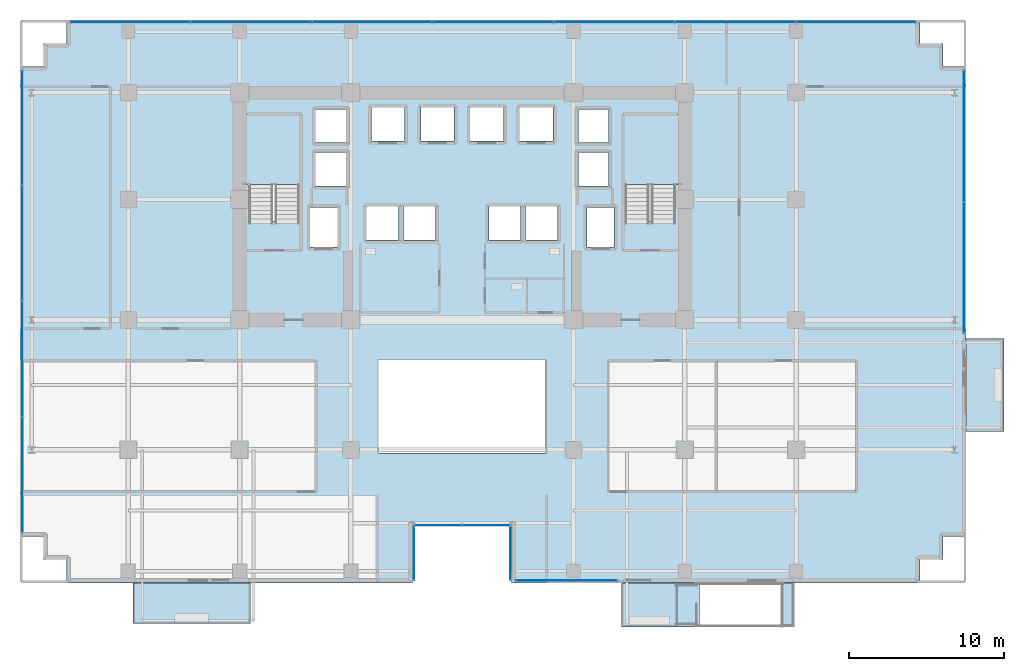
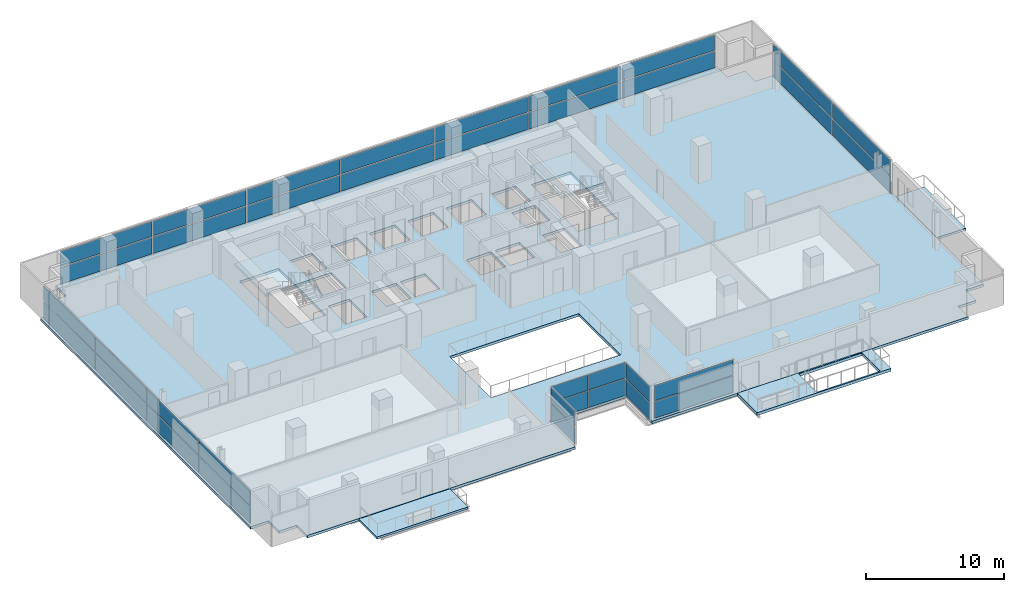
# One storey, part 20 of 28: 36 plates, 6 slabs, 9 elements without a shape of their own.
"""IFC4 building model written with IfcOpenShell, lengths in metres."""

from ifc_helpers import new_model, si_unit, direction, frame, origin, origin_2d, place, context, subcontext, project, spatial, polyline, rectangle, outline, extrude, source, transform, mapped, material, layer, layer_set, type_object, element, aggregate, save


model = new_model("IFC4")

# Units and contexts
model_context = context("Model", 3, precision=1e-05, world=origin(), true_north=direction((0.0, 1.0)))
body_context = subcontext(model_context, "Body", "Model", "MODEL_VIEW")
ifc_project = project(units=[si_unit("LENGTHUNIT", "METRE"), si_unit("AREAUNIT", "SQUARE_METRE"), si_unit("VOLUMEUNIT", "CUBIC_METRE"), si_unit("PLANEANGLEUNIT", "RADIAN"), si_unit("MASSUNIT", "GRAM", prefix="KILO")], contexts=[model_context])

# Site, building, storey
site_placement = place(None, origin())
site = spatial("IfcSite", under=ifc_project, at=site_placement, CompositionType="ELEMENT")
building_placement = place(site_placement, origin())
building = spatial("IfcBuilding", under=site, at=building_placement, Name="Zarnakvel Exchange Tower", CompositionType="ELEMENT")
storey_placement = place(building_placement, frame((0.0, 0.0, 57.10009765625)))
storey = spatial("IfcBuildingStorey", under=building, at=storey_placement, Name="L15", CompositionType="ELEMENT", Elevation=57.10009765625)

# Stair, slab
ifc_material_1 = material(Name="Concrete C40/50", Category="concrete")
stair_type = type_object("IfcStairType", Name="STR-01", PredefinedType="HALF_TURN_STAIR", material=ifc_material_1)
stair_1_placement = place(storey_placement, origin())
stair_1 = element("IfcStair", 1, at=stair_1_placement, inside=storey, type_object=stair_type, Name="L15 Protected Core Exit Stair ST-01", PredefinedType="HALF_TURN_STAIR")
ifc_layer_1 = layer(ifc_material_1, 0.199951171875)
ifc_layer_set_1 = layer_set([ifc_layer_1], Name="Concrete C40/50")
slab_type_1 = type_object("IfcSlabType", Name="LDG-01", PredefinedType="LANDING", material=ifc_layer_set_1)
slab_1_placement = place(storey_placement, frame((0.0, 0.0, 1.449951171875)))
slab_1 = element("IfcSlab", 2, at=slab_1_placement, type_object=slab_type_1, Name="ST-01 landing 1", PredefinedType="LANDING", context=body_context, shape_type="SweptSolid", body=[
    extrude(outline(polyline([(-14.18994140625, 7.570068359375), (-10.4599609375, 7.570068359375), (-10.4599609375, 12.080078125), (-14.18994140625, 12.080078125), (-14.18994140625, 7.570068359375)])), origin(), (0.0, 0.0, 1.0), 0.199951171875),
])
aggregate(stair_1, [slab_1])

stair_2_placement = place(storey_placement, origin())
stair_2 = element("IfcStair", 3, at=stair_2_placement, inside=storey, type_object=stair_type, Name="L15 Protected Core Exit Stair ST-02", PredefinedType="HALF_TURN_STAIR")
slab_2_placement = place(storey_placement, frame((0.0, 0.0, 1.449951171875)))
slab_2 = element("IfcSlab", 4, at=slab_2_placement, type_object=slab_type_1, Name="ST-02 landing 1", PredefinedType="LANDING", context=body_context, shape_type="SweptSolid", body=[
    extrude(outline(polyline([(10.4599609375, 7.570068359375), (14.18994140625, 7.570068359375), (14.18994140625, 12.080078125), (10.4599609375, 12.080078125), (10.4599609375, 7.570068359375)])), origin(), (0.0, 0.0, 1.0), 0.199951171875),
])
aggregate(stair_2, [slab_2])

# Slabs
ifc_layer_2 = layer(ifc_material_1, 0.22509765625)
ifc_layer_set_2 = layer_set([ifc_layer_2], Name="Concrete C40/50")
slab_type_2 = type_object("IfcSlabType", Name="SL-04", PredefinedType="FLOOR", material=ifc_layer_set_2)
slab_3_placement = place(storey_placement, frame((0.0, 0.0, -0.22509765625)))
element("IfcSlab", 5, at=slab_3_placement, inside=storey, type_object=slab_type_2, Name="L15 Primary Structural Floor Slab", PredefinedType="FLOOR", context=body_context, shape_type="SweptSolid", body=[
    extrude(outline(polyline([(-28.60009765625, -15.199951171875), (-27.10009765625, -15.199951171875), (-27.10009765625, -16.699951171875), (-25.60009765625, -16.699951171875), (-25.60009765625, -18.199951171875), (-3.199951171875, -18.199951171875), (-3.199951171875, -14.39990234375), (3.199951171875, -14.39990234375), (3.199951171875, -18.199951171875), (29.60009765625, -18.199951171875), (29.60009765625, -16.699951171875), (31.10009765625, -16.699951171875), (31.10009765625, -15.199951171875), (32.60009765625, -15.199951171875), (32.60009765625, 15.199951171875), (31.10009765625, 15.199951171875), (31.10009765625, 16.699951171875), (29.60009765625, 16.699951171875), (29.60009765625, 18.199951171875), (-25.60009765625, 18.199951171875), (-25.60009765625, 16.699951171875), (-27.10009765625, 16.699951171875), (-27.10009765625, 15.199951171875), (-28.60009765625, 15.199951171875), (-28.60009765625, -15.199951171875)]), holes=[polyline([(-5.39990234375, -9.800048828125), (5.39990234375, -9.800048828125), (5.39990234375, -3.800048828125), (-5.39990234375, -3.800048828125), (-5.39990234375, -9.800048828125)]), polyline([(-13.800048828125, 5.2099609375), (-10.5400390625, 5.2099609375), (-10.5400390625, 12.0), (-13.800048828125, 12.0), (-13.800048828125, 5.2099609375)]), polyline([(10.5400390625, 5.2099609375), (13.800048828125, 5.2099609375), (13.800048828125, 12.0), (10.5400390625, 12.0), (10.5400390625, 5.2099609375)]), polyline([(-9.830078125, 3.52001953125), (-8.070068359375, 3.52001953125), (-8.070068359375, 6.080078125), (-9.830078125, 6.080078125), (-9.830078125, 3.52001953125)]), polyline([(8.070068359375, 3.52001953125), (9.830078125, 3.52001953125), (9.830078125, 6.080078125), (8.070068359375, 6.080078125), (8.070068359375, 3.52001953125)]), polyline([(-5.8798828125, 10.3701171875), (-3.719970703125, 10.3701171875), (-3.719970703125, 12.530029296875), (-5.8798828125, 12.530029296875), (-5.8798828125, 10.3701171875)]), polyline([(-2.679931640625, 10.3701171875), (-0.52001953125, 10.3701171875), (-0.52001953125, 12.530029296875), (-2.679931640625, 12.530029296875), (-2.679931640625, 10.3701171875)]), polyline([(0.52001953125, 10.3701171875), (2.679931640625, 10.3701171875), (2.679931640625, 12.530029296875), (0.52001953125, 12.530029296875), (0.52001953125, 10.3701171875)]), polyline([(3.719970703125, 10.3701171875), (5.8798828125, 10.3701171875), (5.8798828125, 12.530029296875), (3.719970703125, 12.530029296875), (3.719970703125, 10.3701171875)]), polyline([(-6.179931640625, 3.969970703125), (-4.1201171875, 3.969970703125), (-4.1201171875, 6.1298828125), (-6.179931640625, 6.1298828125), (-6.179931640625, 3.969970703125)]), polyline([(-3.780029296875, 3.969970703125), (-1.719970703125, 3.969970703125), (-1.719970703125, 6.1298828125), (-3.780029296875, 6.1298828125), (-3.780029296875, 3.969970703125)]), polyline([(1.719970703125, 3.969970703125), (3.780029296875, 3.969970703125), (3.780029296875, 6.1298828125), (1.719970703125, 6.1298828125), (1.719970703125, 3.969970703125)]), polyline([(4.1201171875, 3.969970703125), (6.179931640625, 3.969970703125), (6.179931640625, 6.1298828125), (4.1201171875, 6.1298828125), (4.1201171875, 3.969970703125)]), polyline([(-9.47998046875, 7.469970703125), (-7.52001953125, 7.469970703125), (-7.52001953125, 9.6298828125), (-9.47998046875, 9.6298828125), (-9.47998046875, 7.469970703125)]), polyline([(-9.47998046875, 10.27001953125), (-7.52001953125, 10.27001953125), (-7.52001953125, 12.429931640625), (-9.47998046875, 12.429931640625), (-9.47998046875, 10.27001953125)]), polyline([(7.52001953125, 7.469970703125), (9.47998046875, 7.469970703125), (9.47998046875, 9.6298828125), (7.52001953125, 9.6298828125), (7.52001953125, 7.469970703125)]), polyline([(7.52001953125, 10.27001953125), (9.47998046875, 10.27001953125), (9.47998046875, 12.429931640625), (7.52001953125, 12.429931640625), (7.52001953125, 10.27001953125)])]), origin(), (0.0, 0.0, 1.0), 0.22509765625),
])
ifc_layer_3 = layer(ifc_material_1, 0.25)
ifc_layer_set_3 = layer_set([ifc_layer_3], Name="Concrete C40/50")
slab_type_3 = type_object("IfcSlabType", Name="SL-07", PredefinedType="ROOF", material=ifc_layer_set_3)
slab_4_placement = place(storey_placement, frame((0.0, 0.0, -0.25)))
element("IfcSlab", 6, at=slab_4_placement, inside=storey, type_object=slab_type_3, Name="L15 Spiral Sky-Terrace Outdoor Slab (SE)", PredefinedType="ROOF", context=body_context, shape_type="SweptSolid", body=[
    extrude(outline(polyline([(10.300048828125, -21.06005859375), (21.5, -21.06005859375), (21.5, -18.199951171875), (10.300048828125, -18.199951171875), (10.300048828125, -21.06005859375)]), holes=[polyline([(15.360107421875, -20.93994140625), (20.64990234375, -20.93994140625), (20.64990234375, -18.320068359375), (15.360107421875, -18.320068359375), (15.360107421875, -20.93994140625)])]), origin(), (0.0, 0.0, 1.0), 0.25),
])
ifc_layer_4 = layer(ifc_material_1, 0.18994140625)
ifc_layer_set_4 = layer_set([ifc_layer_4], Name="Concrete C40/50")
slab_type_4 = type_object("IfcSlabType", Name="SL-08", PredefinedType="USERDEFINED", material=ifc_layer_set_4)
slab_5_placement = place(storey_placement, frame((0.0, 0.0, -0.22509765625)))
element("IfcSlab", 7, at=slab_5_placement, inside=storey, type_object=slab_type_4, Name="L15 Planted Loggia Balcony Slab BAL-L15-SW", ObjectType="BALCONY", PredefinedType="USERDEFINED", context=body_context, shape_type="SweptSolid", body=[
    extrude(outline(polyline([(-21.300048828125, -20.85009765625), (-13.699951171875, -20.85009765625), (-13.699951171875, -18.199951171875), (-21.300048828125, -18.199951171875), (-21.300048828125, -20.85009765625)])), origin(), (0.0, 0.0, 1.0), 0.18994140625),
])
slab_6_placement = place(storey_placement, frame((0.0, 0.0, -0.22509765625)))
element("IfcSlab", 8, at=slab_6_placement, inside=storey, type_object=slab_type_4, Name="L15 Planted Loggia Balcony Slab BAL-L15-E", ObjectType="BALCONY", PredefinedType="USERDEFINED", context=body_context, shape_type="SweptSolid", body=[
    extrude(outline(polyline([(32.60009765625, -8.39990234375), (35.050048828125, -8.39990234375), (35.050048828125, -2.39990234375), (32.60009765625, -2.39990234375), (32.60009765625, -8.39990234375)])), origin(), (0.0, 0.0, 1.0), 0.18994140625),
])

# Curtain wall, plate
ifc_material_2 = material(Name="Architectural Bronze Anodised Aluminium", Category="aluminium")
ifc_layer_5 = layer(ifc_material_2, 0.179931640625)
ifc_layer_set_5 = layer_set([ifc_layer_5], Name="Architectural Bronze Anodised Aluminium")
curtain_wall_type_1 = type_object("IfcCurtainWallType", Name="CW-05", PredefinedType="NOTDEFINED", material=ifc_layer_set_5)
curtain_wall_1_placement = place(storey_placement, origin())
curtain_wall_1 = element("IfcCurtainWall", 9, at=curtain_wall_1_placement, inside=storey, type_object=curtain_wall_type_1, Name="L15 Curtain Wall CW-L15-SLW (CW-05)", PredefinedType="NOTDEFINED")
ifc_material_3 = material(Name="Double Low-E Laminated Vision Glass", Category="glass")
ifc_layer_6 = layer(ifc_material_3, 0.02587890625)
ifc_layer_set_6 = layer_set([ifc_layer_6], Name="Double Low-E Laminated Vision Glass")
plate_type_1 = type_object("IfcPlateType", Name="CWP-05", PredefinedType="CURTAIN_PANEL", material=ifc_layer_set_6)
shared_shape_1 = source(origin(), body_context, "Body", "SweptSolid", [
    extrude(rectangle(XDim=3.4599609375, YDim=0.02587890625, at=origin_2d()), origin(), (0.0, 0.0, 1.0), 1.483642578125),
])
plate_1_placement = place(storey_placement, frame((-3.1201171875, -16.280029296875, 0.06982421875), z_axis=(0.0, 0.0, 1.0), x_axis=(0.0, 1.0, 0.0)))
plate_1 = element("IfcPlate", 10, at=plate_1_placement, type_object=plate_type_1, Name="CW-05 panel 1.1", PredefinedType="CURTAIN_PANEL", context=body_context, shape_type="MappedRepresentation", body=[
    mapped(shared_shape_1, transform((0.0, 0.0, 0.0), x_axis=(1.0, 0.0, 0.0), y_axis=(0.0, 1.0, 0.0), z_axis=(0.0, 0.0, 1.0), scale=1.0)),
])

curtain_wall_2_placement = place(storey_placement, origin())
curtain_wall_2 = element("IfcCurtainWall", 11, at=curtain_wall_2_placement, inside=storey, type_object=curtain_wall_type_1, Name="L15 Curtain Wall CW-L15-SLE (CW-05)", PredefinedType="NOTDEFINED")
plate_2_placement = place(storey_placement, frame((3.1201171875, -16.280029296875, 0.06982421875), z_axis=(0.0, 0.0, 1.0), x_axis=(0.0, -1.0, 0.0)))
plate_2 = element("IfcPlate", 12, at=plate_2_placement, type_object=plate_type_1, Name="CW-05 panel 1.1", PredefinedType="CURTAIN_PANEL", context=body_context, shape_type="MappedRepresentation", body=[
    mapped(shared_shape_1, transform((0.0, 0.0, 0.0), x_axis=(1.0, 0.0, 0.0), y_axis=(0.0, 1.0, 0.0), z_axis=(0.0, 0.0, 1.0), scale=1.0)),
])

# Plate
shared_shape_2 = source(origin(), body_context, "Body", "SweptSolid", [
    extrude(rectangle(XDim=3.4599609375, YDim=0.02587890625, at=origin_2d()), origin(), (0.0, 0.0, 1.0), 1.361328125),
])
plate_3_placement = place(storey_placement, frame((-3.1201171875, -16.280029296875, 1.62353515625), z_axis=(0.0, 0.0, 1.0), x_axis=(0.0, 1.0, 0.0)))
plate_3 = element("IfcPlate", 13, at=plate_3_placement, type_object=plate_type_1, Name="CW-05 panel 1.2", PredefinedType="CURTAIN_PANEL", context=body_context, shape_type="MappedRepresentation", body=[
    mapped(shared_shape_2, transform((0.0, 0.0, 0.0), x_axis=(1.0, 0.0, 0.0), y_axis=(0.0, 1.0, 0.0), z_axis=(0.0, 0.0, 1.0), scale=1.0)),
])

aggregate(curtain_wall_1, [plate_1, plate_3])

plate_4_placement = place(storey_placement, frame((3.1201171875, -16.280029296875, 1.62353515625), z_axis=(0.0, 0.0, 1.0), x_axis=(0.0, -1.0, 0.0)))
plate_4 = element("IfcPlate", 14, at=plate_4_placement, type_object=plate_type_1, Name="CW-05 panel 1.2", PredefinedType="CURTAIN_PANEL", context=body_context, shape_type="MappedRepresentation", body=[
    mapped(shared_shape_2, transform((0.0, 0.0, 0.0), x_axis=(1.0, 0.0, 0.0), y_axis=(0.0, 1.0, 0.0), z_axis=(0.0, 0.0, 1.0), scale=1.0)),
])

aggregate(curtain_wall_2, [plate_2, plate_4])

# Curtain wall, plates
curtain_wall_3_placement = place(storey_placement, origin())
curtain_wall_3 = element("IfcCurtainWall", 15, at=curtain_wall_3_placement, inside=storey, type_object=curtain_wall_type_1, Name="L15 Curtain Wall CW-L15-SLB (CW-05)", PredefinedType="NOTDEFINED")
shared_shape_3 = source(origin(), body_context, "Body", "SweptSolid", [
    extrude(rectangle(XDim=3.014892578125, YDim=0.02587890625, at=origin_2d()), origin(), (0.0, 0.0, 1.0), 1.483642578125),
])
plate_5_placement = place(storey_placement, frame((-1.54248046875, -14.47998046875, 0.06982421875), z_axis=(0.0, 0.0, 1.0), x_axis=(1.0, 0.0, 0.0)))
plate_5 = element("IfcPlate", 16, at=plate_5_placement, type_object=plate_type_1, Name="CW-05 panel 1.1", PredefinedType="CURTAIN_PANEL", context=body_context, shape_type="MappedRepresentation", body=[
    mapped(shared_shape_3, transform((0.0, 0.0, 0.0), x_axis=(1.0, 0.0, 0.0), y_axis=(0.0, 1.0, 0.0), z_axis=(0.0, 0.0, 1.0), scale=1.0)),
])
plate_6_placement = place(storey_placement, frame((1.54248046875, -14.47998046875, 0.06982421875), z_axis=(0.0, 0.0, 1.0), x_axis=(1.0, 0.0, 0.0)))
plate_6 = element("IfcPlate", 17, at=plate_6_placement, type_object=plate_type_1, Name="CW-05 panel 2.1", PredefinedType="CURTAIN_PANEL", context=body_context, shape_type="MappedRepresentation", body=[
    mapped(shared_shape_3, transform((0.0, 0.0, 0.0), x_axis=(1.0, 0.0, 0.0), y_axis=(0.0, 1.0, 0.0), z_axis=(0.0, 0.0, 1.0), scale=1.0)),
])
shared_shape_4 = source(origin(), body_context, "Body", "SweptSolid", [
    extrude(rectangle(XDim=3.014892578125, YDim=0.02587890625, at=origin_2d()), origin(), (0.0, 0.0, 1.0), 1.361328125),
])
plate_7_placement = place(storey_placement, frame((-1.54248046875, -14.47998046875, 1.62353515625), z_axis=(0.0, 0.0, 1.0), x_axis=(1.0, 0.0, 0.0)))
plate_7 = element("IfcPlate", 18, at=plate_7_placement, type_object=plate_type_1, Name="CW-05 panel 1.2", PredefinedType="CURTAIN_PANEL", context=body_context, shape_type="MappedRepresentation", body=[
    mapped(shared_shape_4, transform((0.0, 0.0, 0.0), x_axis=(1.0, 0.0, 0.0), y_axis=(0.0, 1.0, 0.0), z_axis=(0.0, 0.0, 1.0), scale=1.0)),
])
plate_8_placement = place(storey_placement, frame((1.54248046875, -14.47998046875, 1.62353515625), z_axis=(0.0, 0.0, 1.0), x_axis=(1.0, 0.0, 0.0)))
plate_8 = element("IfcPlate", 19, at=plate_8_placement, type_object=plate_type_1, Name="CW-05 panel 2.2", PredefinedType="CURTAIN_PANEL", context=body_context, shape_type="MappedRepresentation", body=[
    mapped(shared_shape_4, transform((0.0, 0.0, 0.0), x_axis=(1.0, 0.0, 0.0), y_axis=(0.0, 1.0, 0.0), z_axis=(0.0, 0.0, 1.0), scale=1.0)),
])
aggregate(curtain_wall_3, [plate_5, plate_7, plate_6, plate_8])

ifc_layer_7 = layer(ifc_material_2, 0.239990234375)
ifc_layer_set_7 = layer_set([ifc_layer_7], Name="Architectural Bronze Anodised Aluminium")
curtain_wall_type_2 = type_object("IfcCurtainWallType", Name="CW-02", PredefinedType="NOTDEFINED", material=ifc_layer_set_7)
curtain_wall_4_placement = place(storey_placement, origin())
curtain_wall_4 = element("IfcCurtainWall", 20, at=curtain_wall_4_placement, inside=storey, type_object=curtain_wall_type_2, Name="L15 Curtain Wall CW-L15-N1 (CW-02)", PredefinedType="NOTDEFINED")
ifc_layer_8 = layer(ifc_material_3, 0.031982421875)
ifc_layer_set_8 = layer_set([ifc_layer_8], Name="Double Low-E Laminated Vision Glass")
plate_type_2 = type_object("IfcPlateType", Name="CWP-02", PredefinedType="CURTAIN_PANEL", material=ifc_layer_set_8)
shared_shape_5 = source(origin(), body_context, "Body", "SweptSolid", [
    extrude(rectangle(XDim=7.693603515625, YDim=0.031982421875, at=origin_2d()), origin(), (0.0, 0.0, 1.0), 1.461181640625),
])
plate_9_placement = place(storey_placement, frame((-21.463134765625, 18.06005859375, 0.0849609375), z_axis=(0.0, 0.0, 1.0), x_axis=(1.0, 0.0, 0.0)))
plate_9 = element("IfcPlate", 21, at=plate_9_placement, type_object=plate_type_2, Name="CW-02 panel 1.1", PredefinedType="CURTAIN_PANEL", context=body_context, shape_type="MappedRepresentation", body=[
    mapped(shared_shape_5, transform((0.0, 0.0, 0.0), x_axis=(1.0, 0.0, 0.0), y_axis=(0.0, 1.0, 0.0), z_axis=(0.0, 0.0, 1.0), scale=1.0)),
])
plate_10_placement = place(storey_placement, frame((25.463134765625, 18.06005859375, 0.0849609375), z_axis=(0.0, 0.0, 1.0), x_axis=(1.0, 0.0, 0.0)))
plate_10 = element("IfcPlate", 22, at=plate_10_placement, type_object=plate_type_2, Name="CW-02 panel 7.1", PredefinedType="CURTAIN_PANEL", context=body_context, shape_type="MappedRepresentation", body=[
    mapped(shared_shape_5, transform((0.0, 0.0, 0.0), x_axis=(1.0, 0.0, 0.0), y_axis=(0.0, 1.0, 0.0), z_axis=(0.0, 0.0, 1.0), scale=1.0)),
])
shared_shape_6 = source(origin(), body_context, "Body", "SweptSolid", [
    extrude(rectangle(XDim=7.693603515625, YDim=0.031982421875, at=origin_2d()), origin(), (0.0, 0.0, 1.0), 1.3388671875),
])
plate_11_placement = place(storey_placement, frame((-21.463134765625, 18.06005859375, 1.631103515625), z_axis=(0.0, 0.0, 1.0), x_axis=(1.0, 0.0, 0.0)))
plate_11 = element("IfcPlate", 23, at=plate_11_placement, type_object=plate_type_2, Name="CW-02 panel 1.2", PredefinedType="CURTAIN_PANEL", context=body_context, shape_type="MappedRepresentation", body=[
    mapped(shared_shape_6, transform((0.0, 0.0, 0.0), x_axis=(1.0, 0.0, 0.0), y_axis=(0.0, 1.0, 0.0), z_axis=(0.0, 0.0, 1.0), scale=1.0)),
])
plate_12_placement = place(storey_placement, frame((25.463134765625, 18.06005859375, 1.631103515625), z_axis=(0.0, 0.0, 1.0), x_axis=(1.0, 0.0, 0.0)))
plate_12 = element("IfcPlate", 24, at=plate_12_placement, type_object=plate_type_2, Name="CW-02 panel 7.2", PredefinedType="CURTAIN_PANEL", context=body_context, shape_type="MappedRepresentation", body=[
    mapped(shared_shape_6, transform((0.0, 0.0, 0.0), x_axis=(1.0, 0.0, 0.0), y_axis=(0.0, 1.0, 0.0), z_axis=(0.0, 0.0, 1.0), scale=1.0)),
])
shared_shape_7 = source(origin(), body_context, "Body", "SweptSolid", [
    extrude(rectangle(XDim=7.738525390625, YDim=0.031982421875, at=origin_2d()), origin(), (0.0, 0.0, 1.0), 1.461181640625),
])
plate_13_placement = place(storey_placement, frame((-13.6572265625, 18.06005859375, 0.0849609375), z_axis=(0.0, 0.0, 1.0), x_axis=(1.0, 0.0, 0.0)))
plate_13 = element("IfcPlate", 25, at=plate_13_placement, type_object=plate_type_2, Name="CW-02 panel 2.1", PredefinedType="CURTAIN_PANEL", context=body_context, shape_type="MappedRepresentation", body=[
    mapped(shared_shape_7, transform((0.0, 0.0, 0.0), x_axis=(1.0, 0.0, 0.0), y_axis=(0.0, 1.0, 0.0), z_axis=(0.0, 0.0, 1.0), scale=1.0)),
])
plate_14_placement = place(storey_placement, frame((-5.82861328125, 18.06005859375, 0.0849609375), z_axis=(0.0, 0.0, 1.0), x_axis=(1.0, 0.0, 0.0)))
plate_14 = element("IfcPlate", 26, at=plate_14_placement, type_object=plate_type_2, Name="CW-02 panel 3.1", PredefinedType="CURTAIN_PANEL", context=body_context, shape_type="MappedRepresentation", body=[
    mapped(shared_shape_7, transform((0.0, 0.0, 0.0), x_axis=(1.0, 0.0, 0.0), y_axis=(0.0, 1.0, 0.0), z_axis=(0.0, 0.0, 1.0), scale=1.0)),
])
plate_15_placement = place(storey_placement, frame((2.0, 18.06005859375, 0.0849609375), z_axis=(0.0, 0.0, 1.0), x_axis=(1.0, 0.0, 0.0)))
plate_15 = element("IfcPlate", 27, at=plate_15_placement, type_object=plate_type_2, Name="CW-02 panel 4.1", PredefinedType="CURTAIN_PANEL", context=body_context, shape_type="MappedRepresentation", body=[
    mapped(shared_shape_7, transform((0.0, 0.0, 0.0), x_axis=(1.0, 0.0, 0.0), y_axis=(0.0, 1.0, 0.0), z_axis=(0.0, 0.0, 1.0), scale=1.0)),
])
plate_16_placement = place(storey_placement, frame((9.82861328125, 18.06005859375, 0.0849609375), z_axis=(0.0, 0.0, 1.0), x_axis=(1.0, 0.0, 0.0)))
plate_16 = element("IfcPlate", 28, at=plate_16_placement, type_object=plate_type_2, Name="CW-02 panel 5.1", PredefinedType="CURTAIN_PANEL", context=body_context, shape_type="MappedRepresentation", body=[
    mapped(shared_shape_7, transform((0.0, 0.0, 0.0), x_axis=(1.0, 0.0, 0.0), y_axis=(0.0, 1.0, 0.0), z_axis=(0.0, 0.0, 1.0), scale=1.0)),
])
plate_17_placement = place(storey_placement, frame((17.6572265625, 18.06005859375, 0.0849609375), z_axis=(0.0, 0.0, 1.0), x_axis=(1.0, 0.0, 0.0)))
plate_17 = element("IfcPlate", 29, at=plate_17_placement, type_object=plate_type_2, Name="CW-02 panel 6.1", PredefinedType="CURTAIN_PANEL", context=body_context, shape_type="MappedRepresentation", body=[
    mapped(shared_shape_7, transform((0.0, 0.0, 0.0), x_axis=(1.0, 0.0, 0.0), y_axis=(0.0, 1.0, 0.0), z_axis=(0.0, 0.0, 1.0), scale=1.0)),
])
shared_shape_8 = source(origin(), body_context, "Body", "SweptSolid", [
    extrude(rectangle(XDim=7.738525390625, YDim=0.031982421875, at=origin_2d()), origin(), (0.0, 0.0, 1.0), 1.3388671875),
])
plate_18_placement = place(storey_placement, frame((-13.6572265625, 18.06005859375, 1.631103515625), z_axis=(0.0, 0.0, 1.0), x_axis=(1.0, 0.0, 0.0)))
plate_18 = element("IfcPlate", 30, at=plate_18_placement, type_object=plate_type_2, Name="CW-02 panel 2.2", PredefinedType="CURTAIN_PANEL", context=body_context, shape_type="MappedRepresentation", body=[
    mapped(shared_shape_8, transform((0.0, 0.0, 0.0), x_axis=(1.0, 0.0, 0.0), y_axis=(0.0, 1.0, 0.0), z_axis=(0.0, 0.0, 1.0), scale=1.0)),
])
plate_19_placement = place(storey_placement, frame((-5.82861328125, 18.06005859375, 1.631103515625), z_axis=(0.0, 0.0, 1.0), x_axis=(1.0, 0.0, 0.0)))
plate_19 = element("IfcPlate", 31, at=plate_19_placement, type_object=plate_type_2, Name="CW-02 panel 3.2", PredefinedType="CURTAIN_PANEL", context=body_context, shape_type="MappedRepresentation", body=[
    mapped(shared_shape_8, transform((0.0, 0.0, 0.0), x_axis=(1.0, 0.0, 0.0), y_axis=(0.0, 1.0, 0.0), z_axis=(0.0, 0.0, 1.0), scale=1.0)),
])
plate_20_placement = place(storey_placement, frame((2.0, 18.06005859375, 1.631103515625), z_axis=(0.0, 0.0, 1.0), x_axis=(1.0, 0.0, 0.0)))
plate_20 = element("IfcPlate", 32, at=plate_20_placement, type_object=plate_type_2, Name="CW-02 panel 4.2", PredefinedType="CURTAIN_PANEL", context=body_context, shape_type="MappedRepresentation", body=[
    mapped(shared_shape_8, transform((0.0, 0.0, 0.0), x_axis=(1.0, 0.0, 0.0), y_axis=(0.0, 1.0, 0.0), z_axis=(0.0, 0.0, 1.0), scale=1.0)),
])
plate_21_placement = place(storey_placement, frame((9.82861328125, 18.06005859375, 1.631103515625), z_axis=(0.0, 0.0, 1.0), x_axis=(1.0, 0.0, 0.0)))
plate_21 = element("IfcPlate", 33, at=plate_21_placement, type_object=plate_type_2, Name="CW-02 panel 5.2", PredefinedType="CURTAIN_PANEL", context=body_context, shape_type="MappedRepresentation", body=[
    mapped(shared_shape_8, transform((0.0, 0.0, 0.0), x_axis=(1.0, 0.0, 0.0), y_axis=(0.0, 1.0, 0.0), z_axis=(0.0, 0.0, 1.0), scale=1.0)),
])
plate_22_placement = place(storey_placement, frame((17.6572265625, 18.06005859375, 1.631103515625), z_axis=(0.0, 0.0, 1.0), x_axis=(1.0, 0.0, 0.0)))
plate_22 = element("IfcPlate", 34, at=plate_22_placement, type_object=plate_type_2, Name="CW-02 panel 6.2", PredefinedType="CURTAIN_PANEL", context=body_context, shape_type="MappedRepresentation", body=[
    mapped(shared_shape_8, transform((0.0, 0.0, 0.0), x_axis=(1.0, 0.0, 0.0), y_axis=(0.0, 1.0, 0.0), z_axis=(0.0, 0.0, 1.0), scale=1.0)),
])
aggregate(curtain_wall_4, [plate_9, plate_11, plate_13, plate_18, plate_14, plate_19, plate_15, plate_20, plate_16, plate_21, plate_17, plate_22, plate_10, plate_12])

ifc_layer_9 = layer(ifc_material_2, 0.199951171875)
ifc_layer_set_9 = layer_set([ifc_layer_9], Name="Architectural Bronze Anodised Aluminium")
curtain_wall_type_3 = type_object("IfcCurtainWallType", Name="CW-04", PredefinedType="NOTDEFINED", material=ifc_layer_set_9)
curtain_wall_5_placement = place(storey_placement, origin())
curtain_wall_5 = element("IfcCurtainWall", 35, at=curtain_wall_5_placement, inside=storey, type_object=curtain_wall_type_3, Name="L15 Curtain Wall CW-L15-EN (CW-04)", PredefinedType="NOTDEFINED")
ifc_layer_10 = layer(ifc_material_3, 0.028076171875)
ifc_layer_set_10 = layer_set([ifc_layer_10], Name="Double Low-E Laminated Vision Glass")
plate_type_3 = type_object("IfcPlateType", Name="CWP-04", PredefinedType="CURTAIN_PANEL", material=ifc_layer_set_10)
shared_shape_9 = source(origin(), body_context, "Body", "SweptSolid", [
    extrude(rectangle(XDim=8.4375, YDim=0.028076171875, at=origin_2d()), origin(), (0.0, 0.0, 1.0), 1.47607421875),
])
plate_23_placement = place(storey_placement, frame((32.4599609375, 2.19384765625, 0.074951171875), z_axis=(0.0, 0.0, 1.0), x_axis=(0.0, 1.0, 0.0)))
plate_23 = element("IfcPlate", 36, at=plate_23_placement, type_object=plate_type_3, Name="CW-04 panel 1.1", PredefinedType="CURTAIN_PANEL", context=body_context, shape_type="MappedRepresentation", body=[
    mapped(shared_shape_9, transform((0.0, 0.0, 0.0), x_axis=(1.0, 0.0, 0.0), y_axis=(0.0, 1.0, 0.0), z_axis=(0.0, 0.0, 1.0), scale=1.0)),
])
plate_24_placement = place(storey_placement, frame((32.4599609375, 10.706298828125, 0.074951171875), z_axis=(0.0, 0.0, 1.0), x_axis=(0.0, 1.0, 0.0)))
plate_24 = element("IfcPlate", 37, at=plate_24_placement, type_object=plate_type_3, Name="CW-04 panel 2.1", PredefinedType="CURTAIN_PANEL", context=body_context, shape_type="MappedRepresentation", body=[
    mapped(shared_shape_9, transform((0.0, 0.0, 0.0), x_axis=(1.0, 0.0, 0.0), y_axis=(0.0, 1.0, 0.0), z_axis=(0.0, 0.0, 1.0), scale=1.0)),
])
shared_shape_10 = source(origin(), body_context, "Body", "SweptSolid", [
    extrude(rectangle(XDim=8.4375, YDim=0.028076171875, at=origin_2d()), origin(), (0.0, 0.0, 1.0), 1.35400390625),
])
plate_25_placement = place(storey_placement, frame((32.4599609375, 2.19384765625, 1.6259765625), z_axis=(0.0, 0.0, 1.0), x_axis=(0.0, 1.0, 0.0)))
plate_25 = element("IfcPlate", 38, at=plate_25_placement, type_object=plate_type_3, Name="CW-04 panel 1.2", PredefinedType="CURTAIN_PANEL", context=body_context, shape_type="MappedRepresentation", body=[
    mapped(shared_shape_10, transform((0.0, 0.0, 0.0), x_axis=(1.0, 0.0, 0.0), y_axis=(0.0, 1.0, 0.0), z_axis=(0.0, 0.0, 1.0), scale=1.0)),
])
plate_26_placement = place(storey_placement, frame((32.4599609375, 10.706298828125, 1.6259765625), z_axis=(0.0, 0.0, 1.0), x_axis=(0.0, 1.0, 0.0)))
plate_26 = element("IfcPlate", 39, at=plate_26_placement, type_object=plate_type_3, Name="CW-04 panel 2.2", PredefinedType="CURTAIN_PANEL", context=body_context, shape_type="MappedRepresentation", body=[
    mapped(shared_shape_10, transform((0.0, 0.0, 0.0), x_axis=(1.0, 0.0, 0.0), y_axis=(0.0, 1.0, 0.0), z_axis=(0.0, 0.0, 1.0), scale=1.0)),
])
aggregate(curtain_wall_5, [plate_23, plate_25, plate_24, plate_26])

curtain_wall_6_placement = place(storey_placement, origin())
curtain_wall_6 = element("IfcCurtainWall", 40, at=curtain_wall_6_placement, inside=storey, type_object=curtain_wall_type_3, Name="L15 Curtain Wall CW-L15-W1 (CW-04)", PredefinedType="NOTDEFINED")
shared_shape_11 = source(origin(), body_context, "Body", "SweptSolid", [
    extrude(rectangle(XDim=7.387451171875, YDim=0.028076171875, at=origin_2d()), origin(), (0.0, 0.0, 1.0), 1.47607421875),
])
plate_27_placement = place(storey_placement, frame((-28.4599609375, -11.231201171875, 0.074951171875), z_axis=(0.0, 0.0, 1.0), x_axis=(0.0, 1.0, 0.0)))
plate_27 = element("IfcPlate", 41, at=plate_27_placement, type_object=plate_type_3, Name="CW-04 panel 1.1", PredefinedType="CURTAIN_PANEL", context=body_context, shape_type="MappedRepresentation", body=[
    mapped(shared_shape_11, transform((0.0, 0.0, 0.0), x_axis=(1.0, 0.0, 0.0), y_axis=(0.0, 1.0, 0.0), z_axis=(0.0, 0.0, 1.0), scale=1.0)),
])
plate_28_placement = place(storey_placement, frame((-28.4599609375, 11.231201171875, 0.074951171875), z_axis=(0.0, 0.0, 1.0), x_axis=(0.0, 1.0, 0.0)))
plate_28 = element("IfcPlate", 42, at=plate_28_placement, type_object=plate_type_3, Name="CW-04 panel 4.1", PredefinedType="CURTAIN_PANEL", context=body_context, shape_type="MappedRepresentation", body=[
    mapped(shared_shape_11, transform((0.0, 0.0, 0.0), x_axis=(1.0, 0.0, 0.0), y_axis=(0.0, 1.0, 0.0), z_axis=(0.0, 0.0, 1.0), scale=1.0)),
])
shared_shape_12 = source(origin(), body_context, "Body", "SweptSolid", [
    extrude(rectangle(XDim=7.387451171875, YDim=0.028076171875, at=origin_2d()), origin(), (0.0, 0.0, 1.0), 1.35400390625),
])
plate_29_placement = place(storey_placement, frame((-28.4599609375, -11.231201171875, 1.6259765625), z_axis=(0.0, 0.0, 1.0), x_axis=(0.0, 1.0, 0.0)))
plate_29 = element("IfcPlate", 43, at=plate_29_placement, type_object=plate_type_3, Name="CW-04 panel 1.2", PredefinedType="CURTAIN_PANEL", context=body_context, shape_type="MappedRepresentation", body=[
    mapped(shared_shape_12, transform((0.0, 0.0, 0.0), x_axis=(1.0, 0.0, 0.0), y_axis=(0.0, 1.0, 0.0), z_axis=(0.0, 0.0, 1.0), scale=1.0)),
])
plate_30_placement = place(storey_placement, frame((-28.4599609375, 11.231201171875, 1.6259765625), z_axis=(0.0, 0.0, 1.0), x_axis=(0.0, 1.0, 0.0)))
plate_30 = element("IfcPlate", 44, at=plate_30_placement, type_object=plate_type_3, Name="CW-04 panel 4.2", PredefinedType="CURTAIN_PANEL", context=body_context, shape_type="MappedRepresentation", body=[
    mapped(shared_shape_12, transform((0.0, 0.0, 0.0), x_axis=(1.0, 0.0, 0.0), y_axis=(0.0, 1.0, 0.0), z_axis=(0.0, 0.0, 1.0), scale=1.0)),
])
shared_shape_13 = source(origin(), body_context, "Body", "SweptSolid", [
    extrude(rectangle(XDim=7.425048828125, YDim=0.028076171875, at=origin_2d()), origin(), (0.0, 0.0, 1.0), 1.47607421875),
])
plate_31_placement = place(storey_placement, frame((-28.4599609375, -3.75, 0.074951171875), z_axis=(0.0, 0.0, 1.0), x_axis=(0.0, 1.0, 0.0)))
plate_31 = element("IfcPlate", 45, at=plate_31_placement, type_object=plate_type_3, Name="CW-04 panel 2.1", PredefinedType="CURTAIN_PANEL", context=body_context, shape_type="MappedRepresentation", body=[
    mapped(shared_shape_13, transform((0.0, 0.0, 0.0), x_axis=(1.0, 0.0, 0.0), y_axis=(0.0, 1.0, 0.0), z_axis=(0.0, 0.0, 1.0), scale=1.0)),
])
plate_32_placement = place(storey_placement, frame((-28.4599609375, 3.75, 0.074951171875), z_axis=(0.0, 0.0, 1.0), x_axis=(0.0, 1.0, 0.0)))
plate_32 = element("IfcPlate", 46, at=plate_32_placement, type_object=plate_type_3, Name="CW-04 panel 3.1", PredefinedType="CURTAIN_PANEL", context=body_context, shape_type="MappedRepresentation", body=[
    mapped(shared_shape_13, transform((0.0, 0.0, 0.0), x_axis=(1.0, 0.0, 0.0), y_axis=(0.0, 1.0, 0.0), z_axis=(0.0, 0.0, 1.0), scale=1.0)),
])
shared_shape_14 = source(origin(), body_context, "Body", "SweptSolid", [
    extrude(rectangle(XDim=7.425048828125, YDim=0.028076171875, at=origin_2d()), origin(), (0.0, 0.0, 1.0), 1.35400390625),
])
plate_33_placement = place(storey_placement, frame((-28.4599609375, -3.75, 1.6259765625), z_axis=(0.0, 0.0, 1.0), x_axis=(0.0, 1.0, 0.0)))
plate_33 = element("IfcPlate", 47, at=plate_33_placement, type_object=plate_type_3, Name="CW-04 panel 2.2", PredefinedType="CURTAIN_PANEL", context=body_context, shape_type="MappedRepresentation", body=[
    mapped(shared_shape_14, transform((0.0, 0.0, 0.0), x_axis=(1.0, 0.0, 0.0), y_axis=(0.0, 1.0, 0.0), z_axis=(0.0, 0.0, 1.0), scale=1.0)),
])
plate_34_placement = place(storey_placement, frame((-28.4599609375, 3.75, 1.6259765625), z_axis=(0.0, 0.0, 1.0), x_axis=(0.0, 1.0, 0.0)))
plate_34 = element("IfcPlate", 48, at=plate_34_placement, type_object=plate_type_3, Name="CW-04 panel 3.2", PredefinedType="CURTAIN_PANEL", context=body_context, shape_type="MappedRepresentation", body=[
    mapped(shared_shape_14, transform((0.0, 0.0, 0.0), x_axis=(1.0, 0.0, 0.0), y_axis=(0.0, 1.0, 0.0), z_axis=(0.0, 0.0, 1.0), scale=1.0)),
])
aggregate(curtain_wall_6, [plate_27, plate_29, plate_31, plate_33, plate_32, plate_34, plate_28, plate_30])

curtain_wall_7_placement = place(storey_placement, origin())
curtain_wall_7 = element("IfcCurtainWall", 49, at=curtain_wall_7_placement, inside=storey, type_object=curtain_wall_type_2, Name="L15 Curtain Wall CW-L15-SE (CW-02)", PredefinedType="NOTDEFINED")
shared_shape_15 = source(origin(), body_context, "Body", "SweptSolid", [
    extrude(rectangle(XDim=6.52001953125, YDim=0.031982421875, at=origin_2d()), origin(), (0.0, 0.0, 1.0), 1.461181640625),
])
plate_35_placement = place(storey_placement, frame((6.75, -18.06005859375, 0.0849609375), z_axis=(0.0, 0.0, 1.0), x_axis=(1.0, 0.0, 0.0)))
plate_35 = element("IfcPlate", 50, at=plate_35_placement, type_object=plate_type_2, Name="CW-02 panel 1.1", PredefinedType="CURTAIN_PANEL", context=body_context, shape_type="MappedRepresentation", body=[
    mapped(shared_shape_15, transform((0.0, 0.0, 0.0), x_axis=(1.0, 0.0, 0.0), y_axis=(0.0, 1.0, 0.0), z_axis=(0.0, 0.0, 1.0), scale=1.0)),
])
shared_shape_16 = source(origin(), body_context, "Body", "SweptSolid", [
    extrude(rectangle(XDim=6.52001953125, YDim=0.031982421875, at=origin_2d()), origin(), (0.0, 0.0, 1.0), 1.3388671875),
])
plate_36_placement = place(storey_placement, frame((6.75, -18.06005859375, 1.631103515625), z_axis=(0.0, 0.0, 1.0), x_axis=(1.0, 0.0, 0.0)))
plate_36 = element("IfcPlate", 51, at=plate_36_placement, type_object=plate_type_2, Name="CW-02 panel 1.2", PredefinedType="CURTAIN_PANEL", context=body_context, shape_type="MappedRepresentation", body=[
    mapped(shared_shape_16, transform((0.0, 0.0, 0.0), x_axis=(1.0, 0.0, 0.0), y_axis=(0.0, 1.0, 0.0), z_axis=(0.0, 0.0, 1.0), scale=1.0)),
])
aggregate(curtain_wall_7, [plate_35, plate_36])

save(model, "model.ifc")
